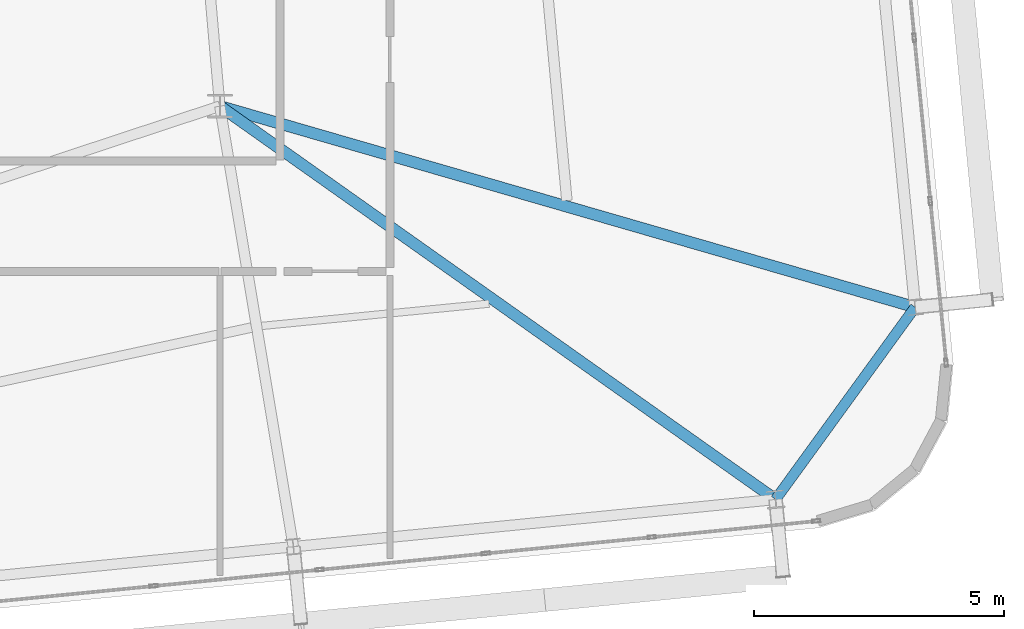
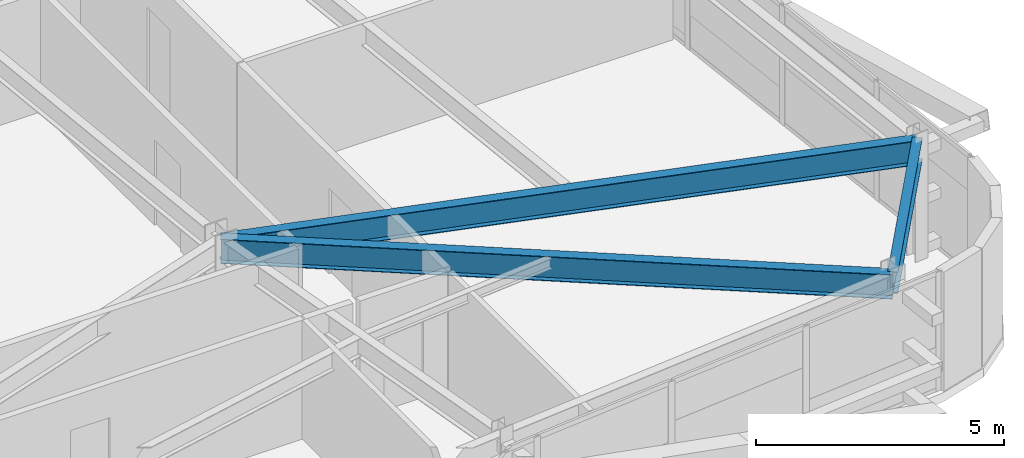
# One storey, part 21 of 52: 3 beams.
"""IFC4 building model written with IfcOpenShell, lengths in metres."""

from ifc_helpers import new_model, si_unit, direction, frame, origin, origin_2d, place, context, subcontext, project, spatial, i_section, extrude, source, transform, mapped, material, material_profile, profile_set, type_object, element, save


model = new_model("IFC4")

# Units and contexts
model_context = context("Model", 3, precision=1e-05, world=origin(), true_north=direction((0.0, 1.0)))
body_context = subcontext(model_context, "Body", "Model", "MODEL_VIEW")
ifc_project = project(units=[si_unit("LENGTHUNIT", "METRE"), si_unit("AREAUNIT", "SQUARE_METRE"), si_unit("VOLUMEUNIT", "CUBIC_METRE"), si_unit("PLANEANGLEUNIT", "RADIAN"), si_unit("MASSUNIT", "GRAM", prefix="KILO")], contexts=[model_context])

# Site, building, storey
site_placement = place(None, origin())
site = spatial("IfcSite", under=ifc_project, at=site_placement, CompositionType="ELEMENT")
building_placement = place(site_placement, origin())
building = spatial("IfcBuilding", under=site, at=building_placement, Name="Taldren Reach Tower", CompositionType="ELEMENT")
storey_placement = place(building_placement, frame((0.0, 0.0, 96.60009765625)))
storey = spatial("IfcBuildingStorey", under=building, at=storey_placement, Name="L29", CompositionType="ELEMENT", Elevation=96.60009765625)

# Beams
ifc_material = material(Name="Steel Gr 350 (350PLUS)", Category="steel")
ifc_material_profile_1 = material_profile(ifc_material, i_section(OverallWidth=0.208984375, OverallDepth=0.528076171875, WebThickness=0.009521484375, FlangeThickness=0.01318359375, at=origin_2d()), Name="530UB82.0")
ifc_profile_set_1 = profile_set([ifc_material_profile_1], Name="Steel Gr 350 (350PLUS)")
beam_type_1 = type_object("IfcBeamType", Name="SP-UB530B", PredefinedType="SPANDREL", material=ifc_profile_set_1)
shared_shape_1 = source(origin(), body_context, "Body", "SweptSolid", [
    extrude(i_section(OverallWidth=0.208984375, OverallDepth=0.528076171875, WebThickness=0.009521484375, FlangeThickness=0.01318359375, at=origin_2d()), origin(), (0.0, 0.0, 1.0), 4.74609375),
])
beam_1_placement = place(storey_placement, frame((63.103271484375, 4.64306640625, 2.666015625), z_axis=(0.58750777154, 0.809218523255, 0.0), x_axis=(-0.809218523255, 0.58750777154, 0.0)))
element("IfcBeam", 1, at=beam_1_placement, inside=storey, type_object=beam_type_1, Name="Perimeter spandrel B2 S6-E1 L29", PredefinedType="SPANDREL", context=body_context, shape_type="MappedRepresentation", body=[
    mapped(shared_shape_1, transform((0.0, 0.0, 0.0), scale=1.0)),
])
ifc_material_profile_2 = material_profile(ifc_material, i_section(OverallWidth=0.22802734375, OverallDepth=0.60205078125, WebThickness=0.010498046875, FlangeThickness=0.014892578125, at=origin_2d()), Name="610UB101")
ifc_profile_set_2 = profile_set([ifc_material_profile_2], Name="Steel Gr 350 (350PLUS)")
beam_type_2 = type_object("IfcBeamType", Name="BM-UB610B", PredefinedType="BEAM", material=ifc_profile_set_2)
shared_shape_2 = source(origin(), body_context, "Body", "SweptSolid", [
    extrude(i_section(OverallWidth=0.22802734375, OverallDepth=0.60205078125, WebThickness=0.010498046875, FlangeThickness=0.014892578125, at=origin_2d()), origin(), (0.0, 0.0, 1.0), 13.60205078125),
])
beam_2_placement = place(storey_placement, frame((52.0, 12.5, 2.62890625), z_axis=(0.816297773281, -0.577631323022, 0.0), x_axis=(0.577631323022, 0.816297773281, 0.0)))
element("IfcBeam", 2, at=beam_2_placement, inside=storey, type_object=beam_type_2, Name="Primary floor girder B2-S6 L29", PredefinedType="BEAM", context=body_context, shape_type="MappedRepresentation", body=[
    mapped(shared_shape_2, transform((0.0, 0.0, 0.0), scale=1.0)),
])
shared_shape_3 = source(origin(), body_context, "Body", "SweptSolid", [
    extrude(i_section(OverallWidth=0.22802734375, OverallDepth=0.60205078125, WebThickness=0.010498046875, FlangeThickness=0.014892578125, at=origin_2d()), origin(), (0.0, 0.0, 1.0), 14.46044921875),
])
beam_3_placement = place(storey_placement, frame((52.0, 12.5, 2.62890625), z_axis=(0.960654638583, -0.277745684698, 0.0), x_axis=(0.277745684698, 0.960654638583, 0.0)))
element("IfcBeam", 3, at=beam_3_placement, inside=storey, type_object=beam_type_2, Name="Primary floor girder B2-E1 L29", PredefinedType="BEAM", context=body_context, shape_type="MappedRepresentation", body=[
    mapped(shared_shape_3, transform((0.0, 0.0, 0.0), scale=1.0)),
])

save(model, "model.ifc")
